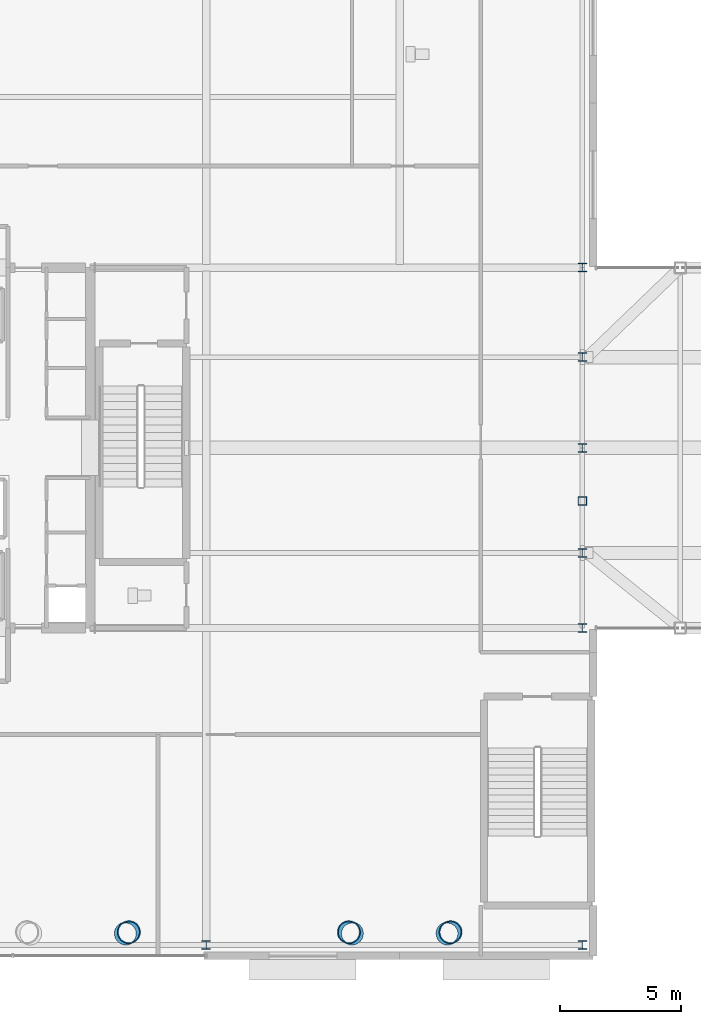
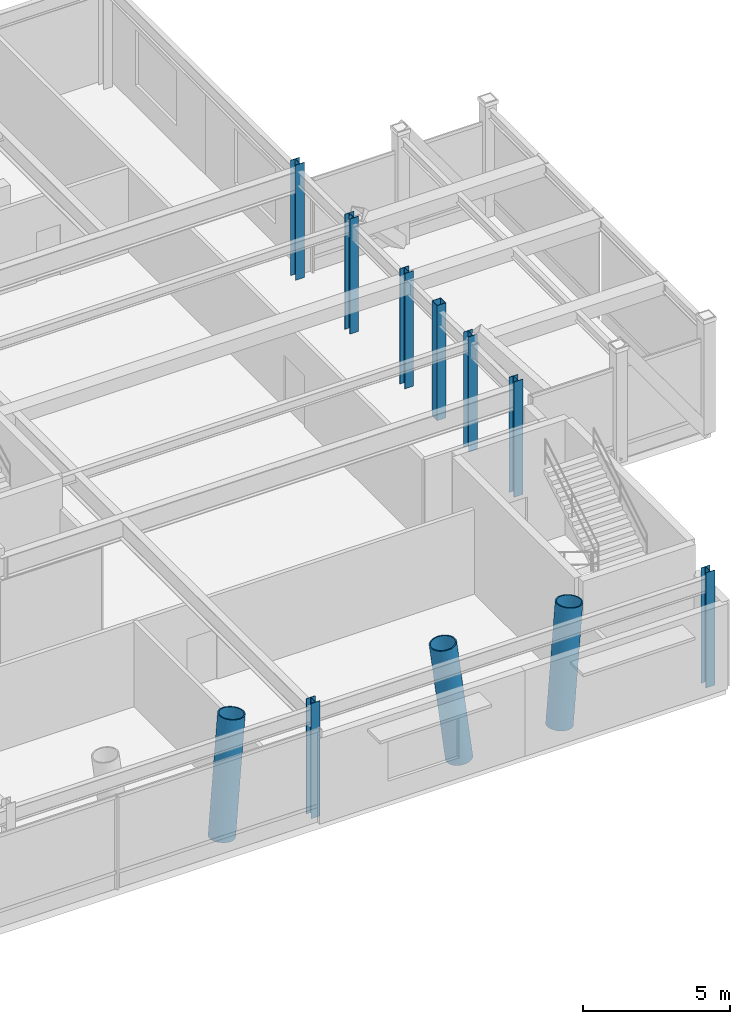
# One storey, part 2 of 26: 11 columns.
"""IFC4 building model written with IfcOpenShell, lengths in metres."""

from ifc_helpers import new_model, si_unit, direction, frame, origin, origin_2d, place, context, subcontext, project, spatial, hollow_rectangle, hollow_circle, i_section, extrude, material, material_profile, profile_set, type_object, element, save


model = new_model("IFC4")

# Units and contexts
model_context = context("Model", 3, precision=1e-05, world=origin(), true_north=direction((0.0, 1.0)))
body_context = subcontext(model_context, "Body", "Model", "MODEL_VIEW")
ifc_project = project(units=[si_unit("LENGTHUNIT", "METRE"), si_unit("AREAUNIT", "SQUARE_METRE"), si_unit("VOLUMEUNIT", "CUBIC_METRE"), si_unit("PLANEANGLEUNIT", "RADIAN"), si_unit("MASSUNIT", "GRAM", prefix="KILO")], contexts=[model_context])

# Site, building, storey
site_placement = place(None, origin())
site = spatial("IfcSite", under=ifc_project, at=site_placement, CompositionType="ELEMENT")
building_placement = place(site_placement, origin())
building = spatial("IfcBuilding", under=site, at=building_placement, Name="Veldorina Hangang Commons", CompositionType="ELEMENT")
storey_placement = place(building_placement, frame((0.0, 0.0, 10.0)))
storey = spatial("IfcBuildingStorey", under=building, at=storey_placement, Name="L02", CompositionType="ELEMENT", Elevation=10.0)

# Columns
ifc_material_1 = material(Name="Steel SM420-TMC", Category="steel")
ifc_material_profile_1 = material_profile(ifc_material_1, i_section(OverallWidth=0.35009765625, OverallDepth=0.35009765625, WebThickness=0.011962890625, FlangeThickness=0.01904296875, FilletRadius=0.01611328125, at=origin_2d()), Name="H-350x350x12x19")
ifc_profile_set_1 = profile_set([ifc_material_profile_1], Name="Steel SM420-TMC")
column_type_1 = type_object("IfcColumnType", Name="COL-H350", PredefinedType="COLUMN", material=ifc_profile_set_1)
for number, where, z_axis, x_axis, name in (
    (1, (44.0, 3.449951171875, 0.0), (0.0, 0.0, 1.0), (1.0, 0.0, 0.0), "L02 structural column S5"),
    (2, (59.550048828125, 3.449951171875, 0.0), (0.0, 0.0, 1.0), (1.0, 0.0, 0.0), "L02 structural column S7"),
    (3, (59.550048828125, 16.550048828125, 0.0), (0.0, 0.0, 1.0), (1.0, 0.0, 0.0), "L02 structural column E1"),
    (4, (59.550048828125, 19.64990234375, 0.0), (0.0, 0.0, 1.0), (1.0, 0.0, 0.0), "L02 structural column E2"),
    (5, (59.550048828125, 24.0, 0.0), (0.0, 0.0, 1.0), (1.0, 0.0, 0.0), "L02 structural column E3"),
    (6, (59.550048828125, 27.75, 0.0), (0.0, 0.0, 1.0), (1.0, 0.0, 0.0), "L02 structural column E4"),
    (7, (59.550048828125, 31.449951171875, 0.0), (0.0, 0.0, 1.0), (1.0, 0.0, 0.0), "L02 structural column E5"),
):
    element("IfcColumn", number, at=place(storey_placement, frame(where, z_axis=z_axis, x_axis=x_axis)), inside=storey, type_object=column_type_1, Name=name, PredefinedType="COLUMN", context=body_context, shape_type="SweptSolid", body=[
        extrude(i_section(OverallWidth=0.35009765625, OverallDepth=0.35009765625, WebThickness=0.011962890625, FlangeThickness=0.01904296875, FilletRadius=0.01611328125, at=origin_2d()), origin(), (0.0, 0.0, 1.0), 4.800048828125),
    ])
ifc_material_2 = material(Name="Steel SM355-TMC", Category="steel")
ifc_material_profile_2 = material_profile(ifc_material_2, hollow_rectangle(XDim=0.35009765625, YDim=0.35009765625, WallThickness=0.01611328125, at=origin_2d()), Name="SHS-350x350x16")
ifc_profile_set_2 = profile_set([ifc_material_profile_2], Name="Steel SM355-TMC")
column_type_2 = type_object("IfcColumnType", Name="COL-PIL-350", PredefinedType="PILASTER", material=ifc_profile_set_2)
column_placement = place(storey_placement, frame((59.550048828125, 21.800048828125, 0.0), z_axis=(0.0, 0.0, 1.0), x_axis=(1.0, 0.0, 0.0)))
element("IfcColumn", 8, at=column_placement, inside=storey, type_object=column_type_2, Name="L02 rationalist colonnade pilaster 4", PredefinedType="PILASTER", context=body_context, shape_type="SweptSolid", body=[
    extrude(hollow_rectangle(XDim=0.35009765625, YDim=0.35009765625, WallThickness=0.01611328125, at=origin_2d()), origin(), (0.0, 0.0, 1.0), 4.800048828125),
])
ifc_material_3 = material(Name="Steel SM490-TMC", Category="steel")
ifc_material_profile_3 = material_profile(ifc_material_3, hollow_circle(Radius=0.47509765625, WallThickness=0.044921875, at=origin_2d()), Name="CHS-950x45")
ifc_profile_set_3 = profile_set([ifc_material_profile_3], Name="Steel SM490-TMC")
column_type_3 = type_object("IfcColumnType", Name="COL-VC950", PredefinedType="COLUMN", material=ifc_profile_set_3)
for number, where, z_axis, x_axis, name in (
    (9, (40.677490234375, 3.92138671875, 0.0), (0.104990948768, 0.046786149451, 0.993372013345), (-0.407035522994, 0.913412329138, 0.0), "L02 sculptural V-column VC-3 leg R"),
    (10, (50.022705078125, 3.92138671875, 0.0), (-0.105040916428, 0.046785901208, 0.99336674261), (-0.406872156318, -0.913485111216, 0.0), "L02 sculptural V-column VC-4 leg L"),
    (11, (53.977294921875, 3.92138671875, 0.0), (0.105040916428, 0.046785901208, 0.99336674261), (-0.406872156318, 0.913485111216, 0.0), "L02 sculptural V-column VC-4 leg R"),
):
    element("IfcColumn", number, at=place(storey_placement, frame(where, z_axis=z_axis, x_axis=x_axis)), inside=storey, type_object=column_type_3, Name=name, PredefinedType="COLUMN", context=body_context, shape_type="SweptSolid", body=[
        extrude(hollow_circle(Radius=0.47509765625, WallThickness=0.044921875, at=origin_2d()), origin(), (0.0, 0.0, 1.0), 4.83203125),
    ])

save(model, "model.ifc")
